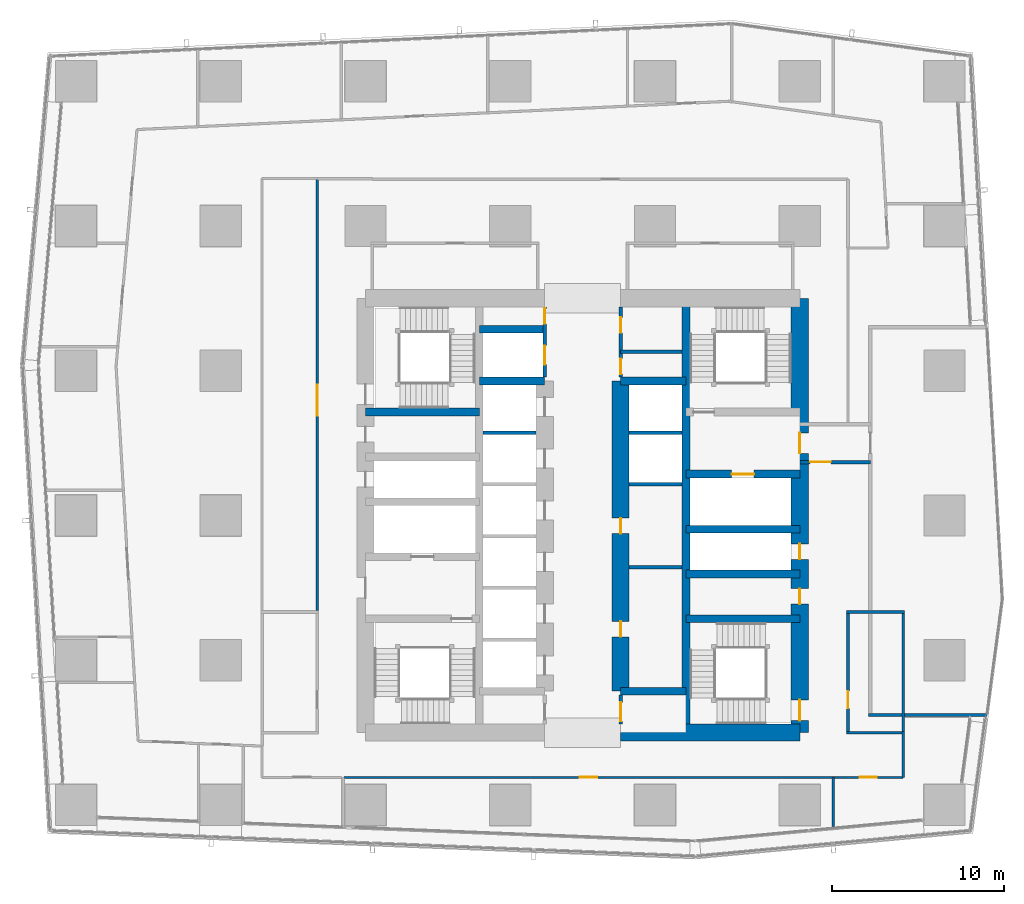
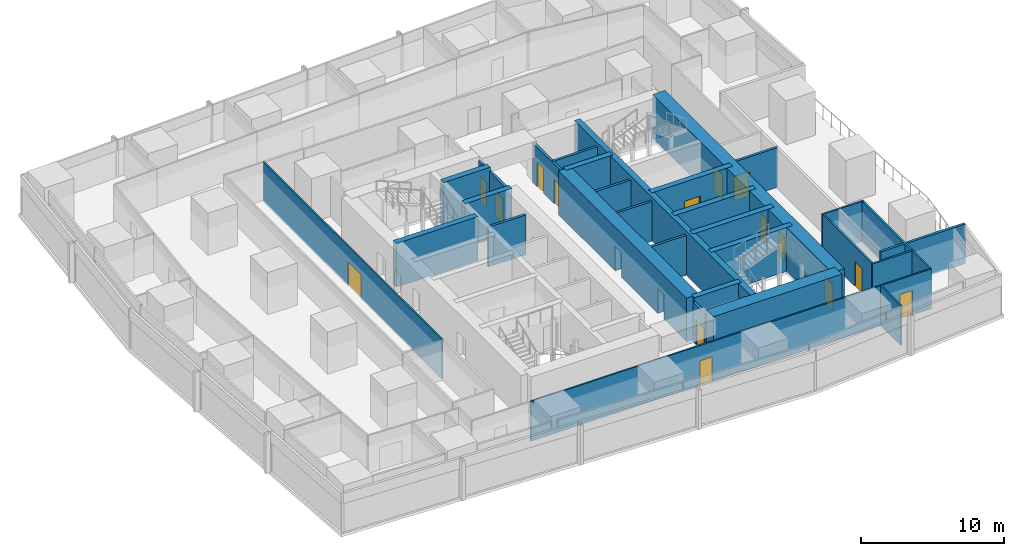
# One storey, part 24 of 34: 32 walls, 17 doors, 17 openings.
"""IFC4 building model written with IfcOpenShell, lengths in metres."""

from ifc_helpers import new_model, si_unit, direction, frame, frame_2d, origin, place, context, subcontext, project, spatial, rectangle, extrude, material, layer, layer_set, type_object, element, fill, save


model = new_model("IFC4")

# Units and contexts
model_context = context("Model", 3, precision=1e-05, world=origin(), true_north=direction((0.0, 1.0)))
body_context = subcontext(model_context, "Body", "Model", "MODEL_VIEW")
ifc_project = project(units=[si_unit("LENGTHUNIT", "METRE"), si_unit("AREAUNIT", "SQUARE_METRE"), si_unit("VOLUMEUNIT", "CUBIC_METRE"), si_unit("PLANEANGLEUNIT", "RADIAN"), si_unit("MASSUNIT", "GRAM", prefix="KILO")], contexts=[model_context])

# Site, building, storey
site_placement = place(None, origin())
site = spatial("IfcSite", under=ifc_project, at=site_placement, CompositionType="ELEMENT")
building_placement = place(site_placement, origin())
building = spatial("IfcBuilding", under=site, at=building_placement, Name="Rekha Terrace Tower", CompositionType="ELEMENT")
storey_placement = place(building_placement, frame((0.0, 0.0, 236.449951171875)))
storey = spatial("IfcBuildingStorey", under=building, at=storey_placement, Name="L60", CompositionType="ELEMENT", Elevation=236.449951171875)

# Walls
ifc_material_1 = material(Name="Concrete M60", Category="concrete")
ifc_layer_1 = layer(ifc_material_1, 0.449951171875)
ifc_layer_set_1 = layer_set([ifc_layer_1], Name="Concrete M60")
wall_type_1 = type_object("IfcWallType", Name="CI3 450 core internal shear wall", PredefinedType="SHEAR", material=ifc_layer_set_1)
wall_1_placement = place(storey_placement, frame((43.800048828125, 21.0, 0.0), z_axis=(0.0, 0.0, 1.0), x_axis=(0.0, 1.0, 0.0)))
element("IfcWall", 1, at=wall_1_placement, inside=storey, type_object=wall_type_1, Name="Core wall X438 L60", PredefinedType="SHEAR", context=body_context, shape_type="SweptSolid", body=[
    extrude(rectangle(XDim=25.199951171875, YDim=0.449951171875, at=frame_2d((12.60009765625, 0.0))), origin(), (0.0, 0.0, 1.0), 3.75),
])
for number, where, z_axis, x_axis, name in (
    (2, (31.800048828125, 41.39990234375, 0.0), (0.0, 0.0, 1.0), (1.0, 0.0, 0.0), "Core wall Y414W L60"),
    (3, (31.800048828125, 44.39990234375, 0.0), (0.0, 0.0, 1.0), (1.0, 0.0, 0.0), "Core wall Y444W L60"),
    (4, (40.0, 23.39990234375, 0.0), (0.0, 0.0, 1.0), (1.0, 0.0, 0.0), "Core wall Y234E L60"),
    (5, (40.0, 41.39990234375, 0.0), (0.0, 0.0, 1.0), (1.0, 0.0, 0.0), "Core wall Y414E L60"),
):
    element("IfcWall", number, at=place(storey_placement, frame(where, z_axis=z_axis, x_axis=x_axis)), inside=storey, type_object=wall_type_1, Name=name, PredefinedType="SHEAR", context=body_context, shape_type="SweptSolid", body=[
        extrude(rectangle(XDim=3.800048828125, YDim=0.449951171875, at=frame_2d((1.89990234375, 0.0))), origin(), (0.0, 0.0, 1.0), 3.75),
    ])
wall_2_placement = place(storey_placement, frame((25.199951171875, 39.60009765625, 0.0), z_axis=(0.0, 0.0, 1.0), x_axis=(1.0, 0.0, 0.0)))
element("IfcWall", 6, at=wall_2_placement, inside=storey, type_object=wall_type_1, Name="Core wall Y396W L60", PredefinedType="SHEAR", context=body_context, shape_type="SweptSolid", body=[
    extrude(rectangle(XDim=6.60009765625, YDim=0.449951171875, at=frame_2d((3.300048828125, 0.0))), origin(), (0.0, 0.0, 1.0), 3.75),
])
for number, where, z_axis, x_axis, name in (
    (7, (43.800048828125, 27.60009765625, 0.0), (0.0, 0.0, 1.0), (1.0, 0.0, 0.0), "Core wall Y276E L60"),
    (8, (43.800048828125, 30.199951171875, 0.0), (0.0, 0.0, 1.0), (1.0, 0.0, 0.0), "Core wall Y302E L60"),
    (9, (43.800048828125, 32.800048828125, 0.0), (0.0, 0.0, 1.0), (1.0, 0.0, 0.0), "Core wall Y328E L60"),
):
    element("IfcWall", number, at=place(storey_placement, frame(where, z_axis=z_axis, x_axis=x_axis)), inside=storey, type_object=wall_type_1, Name=name, PredefinedType="SHEAR", context=body_context, shape_type="SweptSolid", body=[
        extrude(rectangle(XDim=6.599853515625, YDim=0.449951171875, at=frame_2d((3.2998046875, 0.0))), origin(), (0.0, 0.0, 1.0), 3.75),
    ])

# Wall, opening, door
wall_3_placement = place(storey_placement, frame((43.800048828125, 36.0, 0.0), z_axis=(0.0, 0.0, 1.0), x_axis=(1.0, 0.0, 0.0)))
wall_3 = element("IfcWall", 10, at=wall_3_placement, inside=storey, type_object=wall_type_1, Name="Core wall Y360E L60", PredefinedType="SHEAR", context=body_context, shape_type="SweptSolid", body=[
    extrude(rectangle(XDim=6.599853515625, YDim=0.449951171875, at=frame_2d((3.2998046875, 0.0))), origin(), (0.0, 0.0, 1.0), 3.75),
])
opening_1_placement = place(wall_3_placement, frame((2.64990234375, 0.0, 0.0)))
opening_1 = element("IfcOpeningElement", 11, at=opening_1_placement, cuts=wall_3, Name="Opening LD2", PredefinedType="OPENING", context=body_context, shape_type="SweptSolid", body=[
    extrude(rectangle(XDim=1.300048828125, YDim=2.10009765625, at=frame_2d((0.64990234375, 1.050048828125))), frame((0.0, 0.23486328125, 0.0), z_axis=(0.0, -1.0, 0.0), x_axis=(1.0, 0.0, 0.0)), (0.0, 0.0, 1.0), 0.469970703125),
])
ifc_material_2 = material(Name="Stainless steel sliding landing door", Category="steel")
door_type_1 = type_object("IfcDoorType", Name="LD2 1300x2100 fire lift landing door", OperationType="SLIDING_TO_LEFT", PredefinedType="USERDEFINED", material=ifc_material_2)
door_1_placement = place(opening_1_placement, origin())
door_1 = element("IfcDoor", 12, at=door_1_placement, inside=storey, type_object=door_type_1, Name="Lift FL2 landing door L60", ObjectType="LIFT LANDING DOOR", OperationType="SLIDING_TO_LEFT", OverallHeight=2.10009765625, OverallWidth=1.300048828125, PredefinedType="USERDEFINED", context=body_context, shape_type="SweptSolid", body=[
    extrude(rectangle(XDim=1.300048828125, YDim=2.10009765625, at=frame_2d((0.64990234375, 1.050048828125))), frame((0.0, 0.02490234375, 0.0), z_axis=(0.0, -1.0, 0.0), x_axis=(1.0, 0.0, 0.0)), (0.0, 0.0, 1.0), 0.050048828125),
])
fill(opening_1, door_1)

# Wall, openings, doors
ifc_layer_2 = layer(ifc_material_1, 1.0)
ifc_layer_set_2 = layer_set([ifc_layer_2], Name="Concrete M60")
wall_type_2 = type_object("IfcWallType", Name="LW3 1000 core lobby wall at an outrigger level", PredefinedType="SHEAR", material=ifc_layer_set_2)
wall_4_placement = place(storey_placement, frame((40.0, 23.39990234375, 0.0), z_axis=(0.0, 0.0, 1.0), x_axis=(0.0, 1.0, 0.0)))
wall_4 = element("IfcWall", 13, at=wall_4_placement, inside=storey, type_object=wall_type_2, Name="Core wall X400 L60", PredefinedType="SHEAR", context=body_context, shape_type="SweptSolid", body=[
    extrude(rectangle(XDim=18.0, YDim=1.0, at=frame_2d((9.0, 0.0))), origin(), (0.0, 0.0, 1.0), 3.75),
])
opening_2_placement = place(wall_4_placement, frame((3.14990234375, 0.0, 0.0)))
opening_2 = element("IfcOpeningElement", 14, at=opening_2_placement, cuts=wall_4, Name="Opening D5", PredefinedType="OPENING", context=body_context, shape_type="SweptSolid", body=[
    extrude(rectangle(XDim=0.89990234375, YDim=2.10009765625, at=frame_2d((0.449951171875, 1.050048828125))), frame((0.0, 0.510009765625, 0.0), z_axis=(0.0, -1.0, 0.0), x_axis=(1.0, 0.0, 0.0)), (0.0, 0.0, 1.0), 1.02001953125),
])
opening_3_placement = place(wall_4_placement, frame((9.14990234375, 0.0, 0.0)))
opening_3 = element("IfcOpeningElement", 15, at=opening_3_placement, cuts=wall_4, Name="Opening D5", PredefinedType="OPENING", context=body_context, shape_type="SweptSolid", body=[
    extrude(rectangle(XDim=0.89990234375, YDim=2.10009765625, at=frame_2d((0.449951171875, 1.050048828125))), frame((0.0, 0.510009765625, 0.0), z_axis=(0.0, -1.0, 0.0), x_axis=(1.0, 0.0, 0.0)), (0.0, 0.0, 1.0), 1.02001953125),
])
ifc_material_3 = material(Name="Steel fire door", Category="steel")
door_type_2 = type_object("IfcDoorType", Name="D5 900x2100 riser access door", OperationType="SINGLE_SWING_LEFT", PredefinedType="DOOR", material=ifc_material_3)
door_2_placement = place(opening_2_placement, origin())
door_2 = element("IfcDoor", 16, at=door_2_placement, inside=storey, type_object=door_type_2, Name="Door back-of-house store L60", OperationType="SINGLE_SWING_LEFT", OverallHeight=2.10009765625, OverallWidth=0.89990234375, PredefinedType="DOOR", context=body_context, shape_type="SweptSolid", body=[
    extrude(rectangle(XDim=0.89990234375, YDim=2.10009765625, at=frame_2d((0.449951171875, 1.050048828125))), frame((0.0, 0.02490234375, 0.0), z_axis=(0.0, -1.0, 0.0), x_axis=(1.0, 0.0, 0.0)), (0.0, 0.0, 1.0), 0.050048828125),
])
fill(opening_2, door_2)
door_3_placement = place(opening_3_placement, origin())
door_3 = element("IfcDoor", 17, at=door_3_placement, inside=storey, type_object=door_type_2, Name="Door records store L60", OperationType="SINGLE_SWING_LEFT", OverallHeight=2.10009765625, OverallWidth=0.89990234375, PredefinedType="DOOR", context=body_context, shape_type="SweptSolid", body=[
    extrude(rectangle(XDim=0.89990234375, YDim=2.10009765625, at=frame_2d((0.449951171875, 1.050048828125))), frame((0.0, 0.02490234375, 0.0), z_axis=(0.0, -1.0, 0.0), x_axis=(1.0, 0.0, 0.0)), (0.0, 0.0, 1.0), 0.050048828125),
])
fill(opening_3, door_3)

# Wall
ifc_layer_3 = layer(ifc_material_1, 1.0)
ifc_layer_set_3 = layer_set([ifc_layer_3], Name="Concrete M60")
wall_type_3 = type_object("IfcWallType", Name="SW3 1000 core outer shear wall", PredefinedType="SHEAR", material=ifc_layer_set_3)
wall_5_placement = place(storey_placement, frame((40.0, 21.0, 0.0), z_axis=(0.0, 0.0, 1.0), x_axis=(1.0, 0.0, 0.0)))
element("IfcWall", 18, at=wall_5_placement, inside=storey, type_object=wall_type_3, Name="Core wall S2 L60", PredefinedType="SHEAR", context=body_context, shape_type="SweptSolid", body=[
    extrude(rectangle(XDim=10.39990234375, YDim=1.0, at=frame_2d((5.199951171875, 0.0))), origin(), (0.0, 0.0, 1.0), 3.75),
])

# Wall, openings, doors
wall_6_placement = place(storey_placement, frame((50.39990234375, 21.0, 0.0), z_axis=(0.0, 0.0, 1.0), x_axis=(0.0, 1.0, 0.0)))
wall_6 = element("IfcWall", 19, at=wall_6_placement, inside=storey, type_object=wall_type_3, Name="Core wall E L60", PredefinedType="SHEAR", context=body_context, shape_type="SweptSolid", body=[
    extrude(rectangle(XDim=25.199951171875, YDim=1.0, at=frame_2d((12.60009765625, 0.0))), origin(), (0.0, 0.0, 1.0), 3.75),
])
opening_4_placement = place(wall_6_placement, frame((16.199951171875, 0.0, 0.0)))
opening_4 = element("IfcOpeningElement", 20, at=opening_4_placement, cuts=wall_6, Name="Opening D2", PredefinedType="OPENING", context=body_context, shape_type="SweptSolid", body=[
    extrude(rectangle(XDim=1.199951171875, YDim=2.10009765625, at=frame_2d((0.60009765625, 1.050048828125))), frame((0.0, 0.510009765625, 0.0), z_axis=(0.0, -1.0, 0.0), x_axis=(1.0, 0.0, 0.0)), (0.0, 0.0, 1.0), 1.02001953125),
])
opening_5_placement = place(wall_6_placement, frame((10.050048828125, 0.0, 0.0)))
opening_5 = element("IfcOpeningElement", 21, at=opening_5_placement, cuts=wall_6, Name="Opening D5", PredefinedType="OPENING", context=body_context, shape_type="SweptSolid", body=[
    extrude(rectangle(XDim=0.89990234375, YDim=2.10009765625, at=frame_2d((0.449951171875, 1.050048828125))), frame((0.0, 0.510009765625, 0.0), z_axis=(0.0, -1.0, 0.0), x_axis=(1.0, 0.0, 0.0)), (0.0, 0.0, 1.0), 1.02001953125),
])
opening_6_placement = place(wall_6_placement, frame((7.449951171875, 0.0, 0.0)))
opening_6 = element("IfcOpeningElement", 22, at=opening_6_placement, cuts=wall_6, Name="Opening D5", PredefinedType="OPENING", context=body_context, shape_type="SweptSolid", body=[
    extrude(rectangle(XDim=0.89990234375, YDim=2.10009765625, at=frame_2d((0.449951171875, 1.050048828125))), frame((0.0, 0.510009765625, 0.0), z_axis=(0.0, -1.0, 0.0), x_axis=(1.0, 0.0, 0.0)), (0.0, 0.0, 1.0), 1.02001953125),
])
opening_7_placement = place(wall_6_placement, frame((0.699951171875, 0.0, 0.0)))
opening_7 = element("IfcOpeningElement", 23, at=opening_7_placement, cuts=wall_6, Name="Opening D1", PredefinedType="OPENING", context=body_context, shape_type="SweptSolid", body=[
    extrude(rectangle(XDim=1.199951171875, YDim=2.10009765625, at=frame_2d((0.60009765625, 1.050048828125))), frame((0.0, 0.510009765625, 0.0), z_axis=(0.0, -1.0, 0.0), x_axis=(1.0, 0.0, 0.0)), (0.0, 0.0, 1.0), 1.02001953125),
])
door_type_3 = type_object("IfcDoorType", Name="D1 1200x2100 stair fire door", OperationType="SINGLE_SWING_RIGHT", PredefinedType="DOOR", material=ifc_material_3)
door_4_placement = place(opening_7_placement, origin())
door_4 = element("IfcDoor", 24, at=door_4_placement, inside=storey, type_object=door_type_3, Name="Stair ST3 door L60", OperationType="SINGLE_SWING_RIGHT", OverallHeight=2.10009765625, OverallWidth=1.199951171875, PredefinedType="DOOR", context=body_context, shape_type="SweptSolid", body=[
    extrude(rectangle(XDim=1.199951171875, YDim=2.10009765625, at=frame_2d((0.60009765625, 1.050048828125))), frame((0.0, 0.02490234375, 0.0), z_axis=(0.0, -1.0, 0.0), x_axis=(1.0, 0.0, 0.0)), (0.0, 0.0, 1.0), 0.050048828125),
])
fill(opening_7, door_4)
door_type_4 = type_object("IfcDoorType", Name="D2 1200x2100 firefighting lobby door", OperationType="SINGLE_SWING_LEFT", PredefinedType="DOOR", material=ifc_material_3)
door_5_placement = place(opening_4_placement, origin())
door_5 = element("IfcDoor", 25, at=door_5_placement, inside=storey, type_object=door_type_4, Name="Door flb2 L60", OperationType="SINGLE_SWING_LEFT", OverallHeight=2.10009765625, OverallWidth=1.199951171875, PredefinedType="DOOR", context=body_context, shape_type="SweptSolid", body=[
    extrude(rectangle(XDim=1.199951171875, YDim=2.10009765625, at=frame_2d((0.60009765625, 1.050048828125))), frame((0.0, 0.02490234375, 0.0), z_axis=(0.0, -1.0, 0.0), x_axis=(1.0, 0.0, 0.0)), (0.0, 0.0, 1.0), 0.050048828125),
])
fill(opening_4, door_5)
door_6_placement = place(opening_5_placement, origin())
door_6 = element("IfcDoor", 26, at=door_6_placement, inside=storey, type_object=door_type_2, Name="Door rs2 L60", OperationType="SINGLE_SWING_LEFT", OverallHeight=2.10009765625, OverallWidth=0.89990234375, PredefinedType="DOOR", context=body_context, shape_type="SweptSolid", body=[
    extrude(rectangle(XDim=0.89990234375, YDim=2.10009765625, at=frame_2d((0.449951171875, 1.050048828125))), frame((0.0, 0.02490234375, 0.0), z_axis=(0.0, -1.0, 0.0), x_axis=(1.0, 0.0, 0.0)), (0.0, 0.0, 1.0), 0.050048828125),
])
fill(opening_5, door_6)
door_7_placement = place(opening_6_placement, origin())
door_7 = element("IfcDoor", 27, at=door_7_placement, inside=storey, type_object=door_type_2, Name="Door ele L60", OperationType="SINGLE_SWING_LEFT", OverallHeight=2.10009765625, OverallWidth=0.89990234375, PredefinedType="DOOR", context=body_context, shape_type="SweptSolid", body=[
    extrude(rectangle(XDim=0.89990234375, YDim=2.10009765625, at=frame_2d((0.449951171875, 1.050048828125))), frame((0.0, 0.02490234375, 0.0), z_axis=(0.0, -1.0, 0.0), x_axis=(1.0, 0.0, 0.0)), (0.0, 0.0, 1.0), 0.050048828125),
])
fill(opening_6, door_7)

# Walls
ifc_material_4 = material(Name="Concrete block masonry, 1 hour", Category="masonry")
ifc_layer_4 = layer(ifc_material_4, 0.14990234375)
ifc_layer_set_4 = layer_set([ifc_layer_4], Name="Concrete block masonry, 1 hour")
wall_type_4 = type_object("IfcWallType", Name="WP2 150 tenancy partition", PredefinedType="PARTITIONING", material=ifc_layer_set_4)
for number, where, z_axis, x_axis, name in (
    (28, (53.125, 21.0, 0.0), (0.0, 0.0, 1.0), (1.0, 0.0, 0.0), "Men's WC wall L60"),
    (29, (53.125, 28.0, 0.0), (0.0, 0.0, 1.0), (1.0, 0.0, 0.0), "Men's WC wall L60"),
):
    element("IfcWall", number, at=place(storey_placement, frame(where, z_axis=z_axis, x_axis=x_axis)), inside=storey, type_object=wall_type_4, Name=name, PredefinedType="PARTITIONING", context=body_context, shape_type="SweptSolid", body=[
        extrude(rectangle(XDim=3.35009765625, YDim=0.14990234375, at=frame_2d((1.675048828125, 0.0))), origin(), (0.0, 0.0, 1.0), 3.400146484375),
    ])

# Wall, opening, door
wall_7_placement = place(storey_placement, frame((53.199951171875, 21.074951171875, 0.0), z_axis=(0.0, 0.0, 1.0), x_axis=(0.0, 1.0, 0.0)))
wall_7 = element("IfcWall", 30, at=wall_7_placement, inside=storey, type_object=wall_type_4, Name="Men's WC wall L60", PredefinedType="PARTITIONING", context=body_context, shape_type="SweptSolid", body=[
    extrude(rectangle(XDim=6.85009765625, YDim=0.14990234375, at=frame_2d((3.425048828125, 0.0))), origin(), (0.0, 0.0, 1.0), 3.400146484375),
])
opening_8_placement = place(wall_7_placement, frame((1.324951171875, 0.0, 0.0)))
opening_8 = element("IfcOpeningElement", 31, at=opening_8_placement, cuts=wall_7, Name="Opening D3", PredefinedType="OPENING", context=body_context, shape_type="SweptSolid", body=[
    extrude(rectangle(XDim=1.0, YDim=2.10009765625, at=frame_2d((0.5, 1.050048828125))), frame((0.0, 0.0849609375, 0.0), z_axis=(0.0, -1.0, 0.0), x_axis=(1.0, 0.0, 0.0)), (0.0, 0.0, 1.0), 0.169921875),
])
ifc_material_5 = material(Name="Laminated timber fire door", Category="wood")
door_type_5 = type_object("IfcDoorType", Name="D3 1000x2100 WC door", OperationType="SINGLE_SWING_LEFT", PredefinedType="DOOR", material=ifc_material_5)
door_8_placement = place(opening_8_placement, origin())
door_8 = element("IfcDoor", 32, at=door_8_placement, inside=storey, type_object=door_type_5, Name="Door men's wc L60", OperationType="SINGLE_SWING_LEFT", OverallHeight=2.10009765625, OverallWidth=1.0, PredefinedType="DOOR", context=body_context, shape_type="SweptSolid", body=[
    extrude(rectangle(XDim=1.0, YDim=2.10009765625, at=frame_2d((0.5, 1.050048828125))), frame((0.0, 0.02490234375, 0.0), z_axis=(0.0, -1.0, 0.0), x_axis=(1.0, 0.0, 0.0)), (0.0, 0.0, 1.0), 0.050048828125),
])
fill(opening_8, door_8)

# Wall
wall_8_placement = place(storey_placement, frame((56.39990234375, 21.074951171875, 0.0), z_axis=(0.0, 0.0, 1.0), x_axis=(0.0, 1.0, 0.0)))
element("IfcWall", 33, at=wall_8_placement, inside=storey, type_object=wall_type_4, Name="Men's WC wall L60", PredefinedType="PARTITIONING", context=body_context, shape_type="SweptSolid", body=[
    extrude(rectangle(XDim=6.85009765625, YDim=0.14990234375, at=frame_2d((3.425048828125, 0.0))), origin(), (0.0, 0.0, 1.0), 3.400146484375),
])

# Wall, opening, door
ifc_material_6 = material(Name="Two layers of fire-rated gypsum board each side on steel studs, acoustic quilt, 1 hour", Category="steel")
ifc_layer_5 = layer(ifc_material_6, 0.125)
ifc_layer_set_5 = layer_set([ifc_layer_5], Name="Two layers of fire-rated gypsum board each side on steel studs, acoustic quilt, 1 hour")
wall_type_5 = type_object("IfcWallType", Name="WP3 125 office partition", PredefinedType="PARTITIONING", material=ifc_layer_set_5)
wall_9_placement = place(storey_placement, frame((23.944091796875, 18.39990234375, 0.0), z_axis=(0.0, 0.0, 1.0), x_axis=(1.0, 0.0, 0.0)))
wall_9 = element("IfcWall", 34, at=wall_9_placement, inside=storey, type_object=wall_type_5, Name="Partition L60-02", PredefinedType="PARTITIONING", context=body_context, shape_type="SweptSolid", body=[
    extrude(rectangle(XDim=28.40087890625, YDim=0.125, at=frame_2d((14.200439453125, 0.0))), origin(), (0.0, 0.0, 1.0), 3.400146484375),
])
opening_9_placement = place(wall_9_placement, frame((13.700927734375, 0.0, 0.0)))
opening_9 = element("IfcOpeningElement", 35, at=opening_9_placement, cuts=wall_9, Name="Opening D9", PredefinedType="OPENING", context=body_context, shape_type="SweptSolid", body=[
    extrude(rectangle(XDim=1.0, YDim=2.10009765625, at=frame_2d((0.5, 1.050048828125))), frame((0.0, 0.072509765625, 0.0), z_axis=(0.0, -1.0, 0.0), x_axis=(1.0, 0.0, 0.0)), (0.0, 0.0, 1.0), 0.14501953125),
])
ifc_material_7 = material(Name="Timber fire door", Category="wood")
door_type_6 = type_object("IfcDoorType", Name="D9 1000x2100 office door", OperationType="SINGLE_SWING_LEFT", PredefinedType="DOOR", material=ifc_material_7)
door_9_placement = place(opening_9_placement, origin())
door_9 = element("IfcDoor", 36, at=door_9_placement, inside=storey, type_object=door_type_6, Name="Door office L60", OperationType="SINGLE_SWING_LEFT", OverallHeight=2.10009765625, OverallWidth=1.0, PredefinedType="DOOR", context=body_context, shape_type="SweptSolid", body=[
    extrude(rectangle(XDim=1.0, YDim=2.10009765625, at=frame_2d((0.5, 1.050048828125))), frame((0.0, 0.02490234375, 0.0), z_axis=(0.0, -1.0, 0.0), x_axis=(1.0, 0.0, 0.0)), (0.0, 0.0, 1.0), 0.050048828125),
])
fill(opening_9, door_9)

# Wall
wall_10_placement = place(storey_placement, frame((52.344970703125, 18.39990234375, 0.0), z_axis=(0.0, 0.0, 1.0), x_axis=(0.0, -1.0, 0.0)))
element("IfcWall", 37, at=wall_10_placement, inside=storey, type_object=wall_type_5, Name="Partition L60-02", PredefinedType="PARTITIONING", context=body_context, shape_type="SweptSolid", body=[
    extrude(rectangle(XDim=2.85986328125, YDim=0.125, at=frame_2d((1.429931640625, 0.0))), origin(), (0.0, 0.0, 1.0), 3.400146484375),
])

# Wall, opening, door
wall_11_placement = place(storey_placement, frame((52.345947265625, 18.39990234375, 0.0), z_axis=(0.0, 0.0, 1.0), x_axis=(1.0, 0.0, 0.0)))
wall_11 = element("IfcWall", 38, at=wall_11_placement, inside=storey, type_object=wall_type_5, Name="Partition L60-03", PredefinedType="PARTITIONING", context=body_context, shape_type="SweptSolid", body=[
    extrude(rectangle(XDim=4.053955078125, YDim=0.125, at=frame_2d((2.02685546875, 0.0))), origin(), (0.0, 0.0, 1.0), 3.400146484375),
])
opening_10_placement = place(wall_11_placement, frame((1.527099609375, 0.0, 0.0)))
opening_10 = element("IfcOpeningElement", 39, at=opening_10_placement, cuts=wall_11, Name="Opening D9", PredefinedType="OPENING", context=body_context, shape_type="SweptSolid", body=[
    extrude(rectangle(XDim=1.0, YDim=2.10009765625, at=frame_2d((0.5, 1.050048828125))), frame((0.0, 0.072509765625, 0.0), z_axis=(0.0, -1.0, 0.0), x_axis=(1.0, 0.0, 0.0)), (0.0, 0.0, 1.0), 0.14501953125),
])
door_10_placement = place(opening_10_placement, origin())
door_10 = element("IfcDoor", 40, at=door_10_placement, inside=storey, type_object=door_type_6, Name="Door director's office L60", OperationType="SINGLE_SWING_LEFT", OverallHeight=2.10009765625, OverallWidth=1.0, PredefinedType="DOOR", context=body_context, shape_type="SweptSolid", body=[
    extrude(rectangle(XDim=1.0, YDim=2.10009765625, at=frame_2d((0.5, 1.050048828125))), frame((0.0, 0.02490234375, 0.0), z_axis=(0.0, -1.0, 0.0), x_axis=(1.0, 0.0, 0.0)), (0.0, 0.0, 1.0), 0.050048828125),
])
fill(opening_10, door_10)

# Wall
wall_12_placement = place(storey_placement, frame((56.39990234375, 18.39990234375, 0.0), z_axis=(0.0, 0.0, 1.0), x_axis=(0.0, 1.0, 0.0)))
element("IfcWall", 41, at=wall_12_placement, inside=storey, type_object=wall_type_5, Name="Partition L60-03", PredefinedType="PARTITIONING", context=body_context, shape_type="SweptSolid", body=[
    extrude(rectangle(XDim=2.675048828125, YDim=0.125, at=frame_2d((1.33740234375, 0.0))), origin(), (0.0, 0.0, 1.0), 3.400146484375),
])

# Wall, opening, door
wall_13_placement = place(storey_placement, frame((22.39990234375, 53.14990234375, 0.0), z_axis=(0.0, 0.0, 1.0), x_axis=(0.0, -1.0, 0.0)))
wall_13 = element("IfcWall", 42, at=wall_13_placement, inside=storey, type_object=wall_type_5, Name="Partition L60-14", PredefinedType="PARTITIONING", context=body_context, shape_type="SweptSolid", body=[
    extrude(rectangle(XDim=25.074951171875, YDim=0.125, at=frame_2d((12.53759765625, 0.0))), origin(), (0.0, 0.0, 1.0), 3.400146484375),
])
opening_11_placement = place(wall_13_placement, frame((11.97509765625, 0.0, 0.0)))
opening_11 = element("IfcOpeningElement", 43, at=opening_11_placement, cuts=wall_13, Name="Opening D8", PredefinedType="OPENING", context=body_context, shape_type="SweptSolid", body=[
    extrude(rectangle(XDim=1.800048828125, YDim=2.10009765625, at=frame_2d((0.89990234375, 1.050048828125))), frame((0.0, 0.072509765625, 0.0), z_axis=(0.0, -1.0, 0.0), x_axis=(1.0, 0.0, 0.0)), (0.0, 0.0, 1.0), 0.14501953125),
])
door_type_7 = type_object("IfcDoorType", Name="D8 1800x2100 double leaf door", OperationType="DOUBLE_DOOR_SINGLE_SWING", PredefinedType="DOOR", material=ifc_material_7)
door_11_placement = place(opening_11_placement, origin())
door_11 = element("IfcDoor", 44, at=door_11_placement, inside=storey, type_object=door_type_7, Name="Door reception L60", OperationType="DOUBLE_DOOR_SINGLE_SWING", OverallHeight=2.10009765625, OverallWidth=1.800048828125, PredefinedType="DOOR", context=body_context, shape_type="SweptSolid", body=[
    extrude(rectangle(XDim=1.800048828125, YDim=2.10009765625, at=frame_2d((0.89990234375, 1.050048828125))), frame((0.0, 0.02490234375, 0.0), z_axis=(0.0, -1.0, 0.0), x_axis=(1.0, 0.0, 0.0)), (0.0, 0.0, 1.0), 0.050048828125),
])
fill(opening_11, door_11)

# Walls
ifc_material_8 = material(Name="Solid concrete block masonry, 2 hour", Category="masonry")
ifc_layer_6 = layer(ifc_material_8, 0.199951171875)
ifc_layer_set_6 = layer_set([ifc_layer_6], Name="Solid concrete block masonry, 2 hour")
wall_type_6 = type_object("IfcWallType", Name="WS1 200 stair and shaft enclosure", PredefinedType="PARTITIONING", material=ifc_layer_set_6)
wall_14_placement = place(storey_placement, frame((32.02490234375, 38.39990234375, 0.0), z_axis=(0.0, 0.0, 1.0), x_axis=(1.0, 0.0, 0.0)))
element("IfcWall", 45, at=wall_14_placement, inside=storey, type_object=wall_type_6, Name="Lift shaft divider L60", PredefinedType="PARTITIONING", context=body_context, shape_type="SweptSolid", body=[
    extrude(rectangle(XDim=3.0751953125, YDim=0.199951171875, at=frame_2d((1.53759765625, 0.0))), origin(), (0.0, 0.0, 1.0), 3.400146484375),
])
for number, where, z_axis, x_axis, name in (
    (46, (40.5, 35.39990234375, 0.0), (0.0, 0.0, 1.0), (1.0, 0.0, 0.0), "Lift shaft divider L60"),
    (47, (40.5, 38.39990234375, 0.0), (0.0, 0.0, 1.0), (1.0, 0.0, 0.0), "Lift shaft divider L60"),
):
    element("IfcWall", number, at=place(storey_placement, frame(where, z_axis=z_axis, x_axis=x_axis)), inside=storey, type_object=wall_type_6, Name=name, PredefinedType="PARTITIONING", context=body_context, shape_type="SweptSolid", body=[
        extrude(rectangle(XDim=3.074951171875, YDim=0.199951171875, at=frame_2d((1.53759765625, 0.0))), origin(), (0.0, 0.0, 1.0), 3.400146484375),
    ])

# Wall, opening, door
wall_15_placement = place(storey_placement, frame((40.0, 21.5, 0.0), z_axis=(0.0, 0.0, 1.0), x_axis=(0.0, 1.0, 0.0)))
wall_15 = element("IfcWall", 48, at=wall_15_placement, inside=storey, type_object=wall_type_6, Name="Core partition wca L60", PredefinedType="PARTITIONING", context=body_context, shape_type="SweptSolid", body=[
    extrude(rectangle(XDim=1.675048828125, YDim=0.199951171875, at=frame_2d((0.83740234375, 0.0))), origin(), (0.0, 0.0, 1.0), 3.400146484375),
])
opening_12_placement = place(wall_15_placement, frame((0.14990234375, 0.0, 0.0)))
opening_12 = element("IfcOpeningElement", 49, at=opening_12_placement, cuts=wall_15, Name="Opening D4", PredefinedType="OPENING", context=body_context, shape_type="SweptSolid", body=[
    extrude(rectangle(XDim=1.10009765625, YDim=2.10009765625, at=frame_2d((0.550048828125, 1.050048828125))), frame((0.0, 0.10986328125, 0.0), z_axis=(0.0, -1.0, 0.0), x_axis=(1.0, 0.0, 0.0)), (0.0, 0.0, 1.0), 0.219970703125),
])
door_type_8 = type_object("IfcDoorType", Name="D4 1100x2100 accessible WC door", OperationType="SLIDING_TO_LEFT", PredefinedType="DOOR", material=ifc_material_5)
door_12_placement = place(opening_12_placement, origin())
door_12 = element("IfcDoor", 50, at=door_12_placement, inside=storey, type_object=door_type_8, Name="Door wca L60", OperationType="SLIDING_TO_LEFT", OverallHeight=2.10009765625, OverallWidth=1.10009765625, PredefinedType="DOOR", context=body_context, shape_type="SweptSolid", body=[
    extrude(rectangle(XDim=1.10009765625, YDim=2.10009765625, at=frame_2d((0.550048828125, 1.050048828125))), frame((0.0, 0.02490234375, 0.0), z_axis=(0.0, -1.0, 0.0), x_axis=(1.0, 0.0, 0.0)), (0.0, 0.0, 1.0), 0.050048828125),
])
fill(opening_12, door_12)

# Wall, openings, doors
wall_16_placement = place(storey_placement, frame((40.0, 41.625, 0.0), z_axis=(0.0, 0.0, 1.0), x_axis=(0.0, 1.0, 0.0)))
wall_16 = element("IfcWall", 51, at=wall_16_placement, inside=storey, type_object=wall_type_6, Name="Core partition elec L60", PredefinedType="PARTITIONING", context=body_context, shape_type="SweptSolid", body=[
    extrude(rectangle(XDim=4.074951171875, YDim=0.199951171875, at=frame_2d((2.03759765625, 0.0))), origin(), (0.0, 0.0, 1.0), 3.400146484375),
])
opening_13_placement = place(wall_16_placement, frame((2.574951171875, 0.0, 0.0)))
opening_13 = element("IfcOpeningElement", 52, at=opening_13_placement, cuts=wall_16, Name="Opening D5", PredefinedType="OPENING", context=body_context, shape_type="SweptSolid", body=[
    extrude(rectangle(XDim=0.89990234375, YDim=2.10009765625, at=frame_2d((0.449951171875, 1.050048828125))), frame((0.0, 0.10986328125, 0.0), z_axis=(0.0, -1.0, 0.0), x_axis=(1.0, 0.0, 0.0)), (0.0, 0.0, 1.0), 0.219970703125),
])
opening_14_placement = place(wall_16_placement, frame((0.175048828125, 0.0, 0.0)))
opening_14 = element("IfcOpeningElement", 53, at=opening_14_placement, cuts=wall_16, Name="Opening D5", PredefinedType="OPENING", context=body_context, shape_type="SweptSolid", body=[
    extrude(rectangle(XDim=0.89990234375, YDim=2.10009765625, at=frame_2d((0.449951171875, 1.050048828125))), frame((0.0, 0.10986328125, 0.0), z_axis=(0.0, -1.0, 0.0), x_axis=(1.0, 0.0, 0.0)), (0.0, 0.0, 1.0), 0.219970703125),
])
door_13_placement = place(opening_13_placement, origin())
door_13 = element("IfcDoor", 54, at=door_13_placement, inside=storey, type_object=door_type_2, Name="Door electrical room L60", OperationType="SINGLE_SWING_LEFT", OverallHeight=2.10009765625, OverallWidth=0.89990234375, PredefinedType="DOOR", context=body_context, shape_type="SweptSolid", body=[
    extrude(rectangle(XDim=0.89990234375, YDim=2.10009765625, at=frame_2d((0.449951171875, 1.050048828125))), frame((0.0, 0.02490234375, 0.0), z_axis=(0.0, -1.0, 0.0), x_axis=(1.0, 0.0, 0.0)), (0.0, 0.0, 1.0), 0.050048828125),
])
fill(opening_13, door_13)
door_14_placement = place(opening_14_placement, origin())
door_14 = element("IfcDoor", 55, at=door_14_placement, inside=storey, type_object=door_type_2, Name="Door mother's room L60", OperationType="SINGLE_SWING_LEFT", OverallHeight=2.10009765625, OverallWidth=0.89990234375, PredefinedType="DOOR", context=body_context, shape_type="SweptSolid", body=[
    extrude(rectangle(XDim=0.89990234375, YDim=2.10009765625, at=frame_2d((0.449951171875, 1.050048828125))), frame((0.0, 0.02490234375, 0.0), z_axis=(0.0, -1.0, 0.0), x_axis=(1.0, 0.0, 0.0)), (0.0, 0.0, 1.0), 0.050048828125),
])
fill(opening_14, door_14)

wall_17_placement = place(storey_placement, frame((35.60009765625, 41.625, 0.0), z_axis=(0.0, 0.0, 1.0), x_axis=(0.0, 1.0, 0.0)))
wall_17 = element("IfcWall", 56, at=wall_17_placement, inside=storey, type_object=wall_type_6, Name="Core partition jansv L60", PredefinedType="PARTITIONING", context=body_context, shape_type="SweptSolid", body=[
    extrude(rectangle(XDim=4.074951171875, YDim=0.199951171875, at=frame_2d((2.03759765625, 0.0))), origin(), (0.0, 0.0, 1.0), 3.400146484375),
])
opening_15_placement = place(wall_17_placement, frame((3.087890625, 0.0, 0.0)))
opening_15 = element("IfcOpeningElement", 57, at=opening_15_placement, cuts=wall_17, Name="Opening D5", PredefinedType="OPENING", context=body_context, shape_type="SweptSolid", body=[
    extrude(rectangle(XDim=0.89990234375, YDim=2.10009765625, at=frame_2d((0.449951171875, 1.050048828125))), frame((0.0, 0.10986328125, 0.0), z_axis=(0.0, -1.0, 0.0), x_axis=(1.0, 0.0, 0.0)), (0.0, 0.0, 1.0), 0.219970703125),
])
opening_16_placement = place(wall_17_placement, frame((0.72509765625, 0.0, 0.0)))
opening_16 = element("IfcOpeningElement", 58, at=opening_16_placement, cuts=wall_17, Name="Opening LD1", PredefinedType="OPENING", context=body_context, shape_type="SweptSolid", body=[
    extrude(rectangle(XDim=1.10009765625, YDim=2.10009765625, at=frame_2d((0.550048828125, 1.050048828125))), frame((0.0, 0.10986328125, 0.0), z_axis=(0.0, -1.0, 0.0), x_axis=(1.0, 0.0, 0.0)), (0.0, 0.0, 1.0), 0.219970703125),
])
door_15_placement = place(opening_15_placement, origin())
door_15 = element("IfcDoor", 59, at=door_15_placement, inside=storey, type_object=door_type_2, Name="Door janitor room L60", OperationType="SINGLE_SWING_LEFT", OverallHeight=2.10009765625, OverallWidth=0.89990234375, PredefinedType="DOOR", context=body_context, shape_type="SweptSolid", body=[
    extrude(rectangle(XDim=0.89990234375, YDim=2.10009765625, at=frame_2d((0.449951171875, 1.050048828125))), frame((0.0, 0.02490234375, 0.0), z_axis=(0.0, -1.0, 0.0), x_axis=(1.0, 0.0, 0.0)), (0.0, 0.0, 1.0), 0.050048828125),
])
fill(opening_15, door_15)
door_type_9 = type_object("IfcDoorType", Name="LD1 1100x2100 lift landing door", OperationType="SLIDING_TO_LEFT", PredefinedType="USERDEFINED", material=ifc_material_2)
door_16_placement = place(opening_16_placement, origin())
door_16 = element("IfcDoor", 60, at=door_16_placement, inside=storey, type_object=door_type_9, Name="Lift SV1 landing door L60", ObjectType="LIFT LANDING DOOR", OperationType="SLIDING_TO_LEFT", OverallHeight=2.10009765625, OverallWidth=1.10009765625, PredefinedType="USERDEFINED", context=body_context, shape_type="SweptSolid", body=[
    extrude(rectangle(XDim=1.10009765625, YDim=2.10009765625, at=frame_2d((0.550048828125, 1.050048828125))), frame((0.0, 0.02490234375, 0.0), z_axis=(0.0, -1.0, 0.0), x_axis=(1.0, 0.0, 0.0)), (0.0, 0.0, 1.0), 0.050048828125),
])
fill(opening_16, door_16)

# Walls
wall_18_placement = place(storey_placement, frame((40.5, 30.60009765625, 0.0), z_axis=(0.0, 0.0, 1.0), x_axis=(1.0, 0.0, 0.0)))
element("IfcWall", 61, at=wall_18_placement, inside=storey, type_object=wall_type_6, Name="Core partition freed shafts L60", PredefinedType="PARTITIONING", context=body_context, shape_type="SweptSolid", body=[
    extrude(rectangle(XDim=3.074951171875, YDim=0.199951171875, at=frame_2d((1.53759765625, 0.0))), origin(), (0.0, 0.0, 1.0), 3.400146484375),
])
wall_19_placement = place(storey_placement, frame((40.0, 43.10009765625, 0.0), z_axis=(0.0, 0.0, 1.0), x_axis=(1.0, 0.0, 0.0)))
element("IfcWall", 62, at=wall_19_placement, inside=storey, type_object=wall_type_6, Name="Core partition elx L60", PredefinedType="PARTITIONING", context=body_context, shape_type="SweptSolid", body=[
    extrude(rectangle(XDim=3.574951171875, YDim=0.199951171875, at=frame_2d((1.78759765625, 0.0))), origin(), (0.0, 0.0, 1.0), 3.400146484375),
])
wall_20_placement = place(storey_placement, frame((54.39990234375, 22.02197265625, 0.0), z_axis=(0.0, 0.0, 1.0), x_axis=(1.0, 0.0, 0.0)))
element("IfcWall", 63, at=wall_20_placement, inside=storey, type_object=wall_type_6, Name="Refuge area south wall L60", PredefinedType="PARTITIONING", context=body_context, shape_type="SweptSolid", body=[
    extrude(rectangle(XDim=6.860107421875, YDim=0.199951171875, at=frame_2d((3.43017578125, 0.0))), origin(), (0.0, 0.0, 1.0), 3.400146484375),
])

# Wall, opening, door
wall_21_placement = place(storey_placement, frame((50.39990234375, 36.699951171875, 0.0), z_axis=(0.0, 0.0, 1.0), x_axis=(1.0, 0.0, 0.0)))
wall_21 = element("IfcWall", 64, at=wall_21_placement, inside=storey, type_object=wall_type_6, Name="Refuge corridor south wall L60", PredefinedType="PARTITIONING", context=body_context, shape_type="SweptSolid", body=[
    extrude(rectangle(XDim=4.10009765625, YDim=0.199951171875, at=frame_2d((2.050048828125, 0.0))), origin(), (0.0, 0.0, 1.0), 3.400146484375),
])
opening_17_placement = place(wall_21_placement, frame((0.60009765625, 0.0, 0.0)))
opening_17 = element("IfcOpeningElement", 65, at=opening_17_placement, cuts=wall_21, Name="Opening D2", PredefinedType="OPENING", context=body_context, shape_type="SweptSolid", body=[
    extrude(rectangle(XDim=1.199951171875, YDim=2.10009765625, at=frame_2d((0.60009765625, 1.050048828125))), frame((0.0, 0.10986328125, 0.0), z_axis=(0.0, -1.0, 0.0), x_axis=(1.0, 0.0, 0.0)), (0.0, 0.0, 1.0), 0.219970703125),
])
door_17_placement = place(opening_17_placement, origin())
door_17 = element("IfcDoor", 66, at=door_17_placement, inside=storey, type_object=door_type_4, Name="Refuge corridor door L60", OperationType="SINGLE_SWING_LEFT", OverallHeight=2.10009765625, OverallWidth=1.199951171875, PredefinedType="DOOR", context=body_context, shape_type="SweptSolid", body=[
    extrude(rectangle(XDim=1.199951171875, YDim=2.10009765625, at=frame_2d((0.60009765625, 1.050048828125))), frame((0.0, 0.02490234375, 0.0), z_axis=(0.0, -1.0, 0.0), x_axis=(1.0, 0.0, 0.0)), (0.0, 0.0, 1.0), 0.050048828125),
])
fill(opening_17, door_17)

save(model, "model.ifc")
